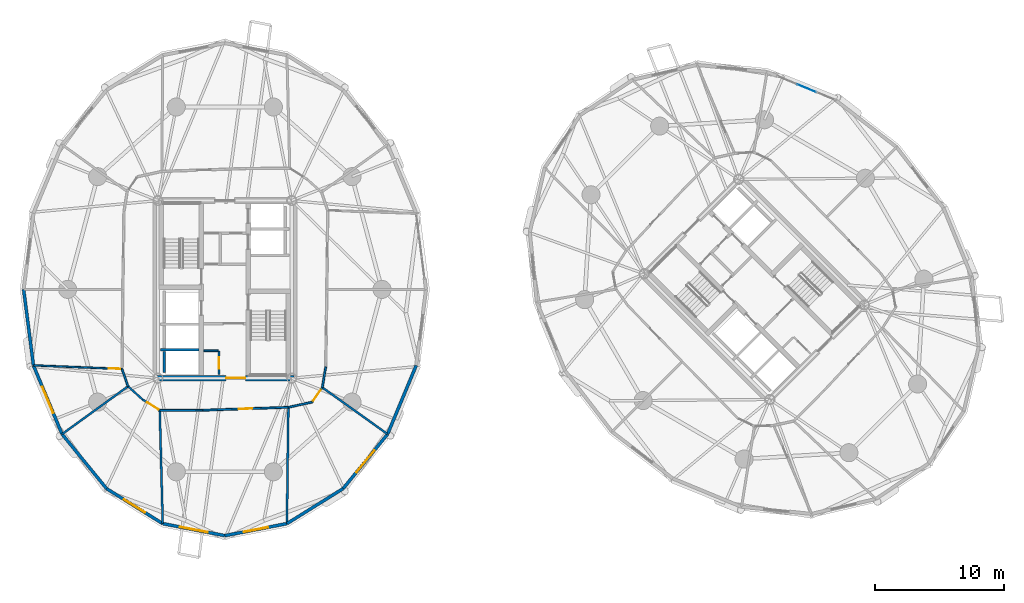
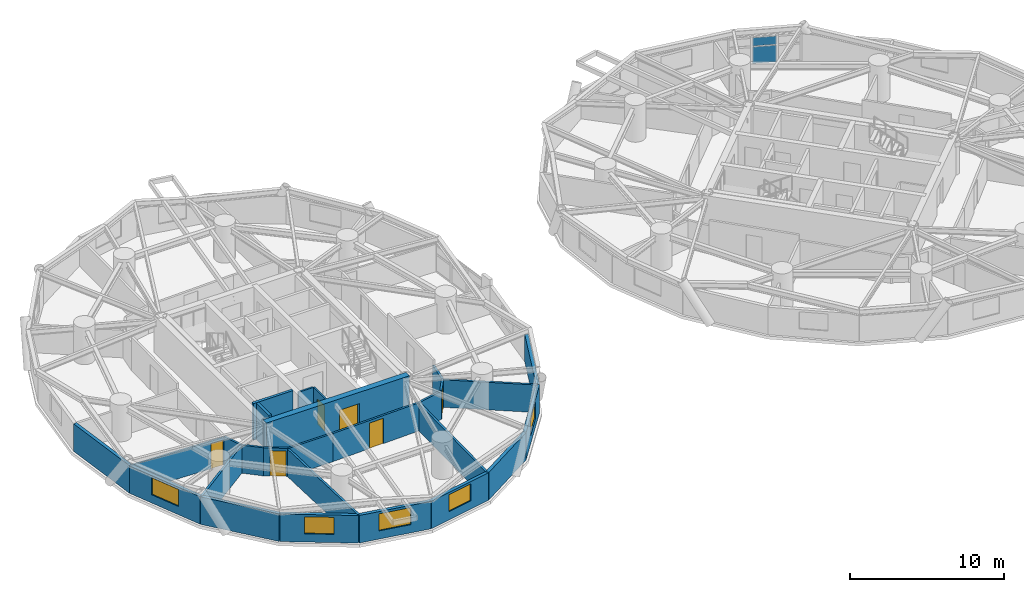
# One storey, part 9 of 17: 27 walls, 6 doors, 5 windows, 2 plates, 11 openings, 1 element without a shape of its own.
"""IFC4 building model written with IfcOpenShell, lengths in metres."""

from ifc_helpers import new_model, si_unit, direction, frame, frame_2d, origin, origin_2d, place, context, subcontext, project, spatial, rectangle, extrude, source, transform, mapped, material, layer, layer_set, type_object, element, fill, aggregate, save


model = new_model("IFC4")

# Units and contexts
model_context = context("Model", 3, precision=1e-05, world=origin(), true_north=direction((0.0, 1.0)))
body_context = subcontext(model_context, "Body", "Model", "MODEL_VIEW")
ifc_project = project(units=[si_unit("LENGTHUNIT", "METRE"), si_unit("AREAUNIT", "SQUARE_METRE"), si_unit("VOLUMEUNIT", "CUBIC_METRE"), si_unit("PLANEANGLEUNIT", "RADIAN"), si_unit("MASSUNIT", "GRAM", prefix="KILO")], contexts=[model_context])

# Site, building, storey
site_placement = place(None, origin())
site = spatial("IfcSite", under=ifc_project, at=site_placement, CompositionType="ELEMENT")
building_placement = place(site_placement, origin())
building = spatial("IfcBuilding", under=site, at=building_placement, Name="Cununo Teusaquillo Station Towers", CompositionType="ELEMENT")
storey_placement = place(building_placement, frame((0.0, 0.0, 81.7900390625)))
storey = spatial("IfcBuildingStorey", under=building, at=storey_placement, Name="L25", CompositionType="ELEMENT", Elevation=81.7900390625)

# Curtain wall, plates
ifc_material_1 = material(Name="Ceramic-fritted dark low-E double glazing", Category="glass")
ifc_layer_1 = layer(ifc_material_1, 0.179931640625)
ifc_layer_set_1 = layer_set([ifc_layer_1], Name="Ceramic-fritted dark low-E double glazing")
curtain_wall_type = type_object("IfcCurtainWallType", Name="CW-SYS-04", PredefinedType="USERDEFINED", material=ifc_layer_set_1)
curtain_wall_placement = place(storey_placement, origin())
curtain_wall = element("IfcCurtainWall", 1, at=curtain_wall_placement, inside=storey, type_object=curtain_wall_type, Name="L25 Tower B Facade Curtain Wall C01", ObjectType="FRITTED GLAZING", PredefinedType="USERDEFINED")
ifc_material_2 = material(Name="Ceramic-fritted dark low-E double glazing", Category="glass")
ifc_layer_2 = layer(ifc_material_2, 0.028076171875)
ifc_layer_set_2 = layer_set([ifc_layer_2], Name="Ceramic-fritted dark low-E double glazing")
plate_type = type_object("IfcPlateType", Name="CWP-FRIT-28", PredefinedType="CURTAIN_PANEL", material=ifc_layer_set_2)
shared_shape_1 = source(origin(), body_context, "Body", "SweptSolid", [
    extrude(rectangle(XDim=1.566162109375, YDim=0.028076171875, at=origin_2d()), origin(), (0.0, 0.0, 1.0), 1.31103515625),
])
plate_1_placement = place(storey_placement, frame((61.542236328125, 40.080322265625, 0.06982421875), z_axis=(0.0, 0.0, 1.0), x_axis=(0.924562443652, -0.381030560176, 0.0)))
plate_1 = element("IfcPlate", 2, at=plate_1_placement, type_object=plate_type, Name="CW-04 panel 2.1", PredefinedType="CURTAIN_PANEL", context=body_context, shape_type="MappedRepresentation", body=[
    mapped(shared_shape_1, transform((0.0, 0.0, 0.0), x_axis=(1.0, 0.0, 0.0), y_axis=(0.0, 1.0, 0.0), z_axis=(0.0, 0.0, 1.0), scale=1.0)),
])
shared_shape_2 = source(origin(), body_context, "Body", "SweptSolid", [
    extrude(rectangle(XDim=1.566162109375, YDim=0.028076171875, at=origin_2d()), origin(), (0.0, 0.0, 1.0), 0.657958984375),
])
plate_2_placement = place(storey_placement, frame((61.542236328125, 40.080322265625, 1.451171875), z_axis=(0.0, 0.0, 1.0), x_axis=(0.924562443652, -0.381030560176, 0.0)))
plate_2 = element("IfcPlate", 3, at=plate_2_placement, type_object=plate_type, Name="CW-04 panel 2.2", PredefinedType="CURTAIN_PANEL", context=body_context, shape_type="MappedRepresentation", body=[
    mapped(shared_shape_2, transform((0.0, 0.0, 0.0), x_axis=(1.0, 0.0, 0.0), y_axis=(0.0, 1.0, 0.0), z_axis=(0.0, 0.0, 1.0), scale=1.0)),
])
aggregate(curtain_wall, [plate_1, plate_2])

# Walls
ifc_material_3 = material(Name="Concrete C50/60", Category="concrete")
ifc_layer_3 = layer(ifc_material_3, 0.199951171875)
ifc_layer_set_3 = layer_set([ifc_layer_3], Name="Concrete C50/60")
wall_type_1 = type_object("IfcWallType", Name="WL-CORE-200", PredefinedType="SHEAR", material=ifc_layer_set_3)
wall_1_placement = place(storey_placement, frame((11.52001953125, 19.824951171875, 0.0), z_axis=(0.0, 0.0, 1.0), x_axis=(1.0, 0.0, 0.0)))
element("IfcWall", 4, at=wall_1_placement, inside=storey, type_object=wall_type_1, Name="L25 Tower A High-Rise Lift Hoistway Divider Shear Wall", PredefinedType="SHEAR", context=body_context, shape_type="SweptSolid", body=[
    extrude(rectangle(XDim=2.969970703125, YDim=0.199951171875, at=frame_2d((1.48486328125, 0.0))), origin(), (0.0, 0.0, 1.0), 2.909912109375),
])
wall_2_placement = place(storey_placement, frame((11.820068359375, 18.070068359375, 0.0), z_axis=(0.0, 0.0, 1.0), x_axis=(0.0, 1.0, 0.0)))
element("IfcWall", 5, at=wall_2_placement, inside=storey, type_object=wall_type_1, Name="L25 Tower A High-Rise Lift 1 Shaft Rear Shear Wall", PredefinedType="SHEAR", context=body_context, shape_type="SweptSolid", body=[
    extrude(rectangle(XDim=1.635009765625, YDim=0.199951171875, at=frame_2d((0.8173828125, 0.0))), origin(), (0.0, 0.0, 1.0), 2.909912109375),
])

# Wall, opening, door
ifc_material_4 = material(Name="Concrete C60/75", Category="concrete")
ifc_layer_4 = layer(ifc_material_4, 0.449951171875)
ifc_layer_set_4 = layer_set([ifc_layer_4], Name="Concrete C60/75")
wall_type_2 = type_object("IfcWallType", Name="WL-CORE-450", PredefinedType="SHEAR", material=ifc_layer_set_4)
wall_3_placement = place(storey_placement, frame((11.14990234375, 17.625, 0.0), z_axis=(0.0, 0.0, 1.0), x_axis=(1.0, 0.0, 0.0)))
wall_3 = element("IfcWall", 6, at=wall_3_placement, inside=storey, type_object=wall_type_2, Name="L25 Tower A Core Shear Wall S", PredefinedType="SHEAR", context=body_context, shape_type="SweptSolid", body=[
    extrude(rectangle(XDim=10.7001953125, YDim=0.449951171875, at=frame_2d((5.35009765625, 0.0))), origin(), (0.0, 0.0, 1.0), 2.909912109375),
])
shared_shape_3 = source(origin(), body_context, "Body", "SweptSolid", [
    extrude(rectangle(XDim=1.5, YDim=2.02001953125, at=frame_2d((0.75, 1.010009765625))), frame((0.0, 0.23486328125, 0.0), z_axis=(0.0, -1.0, 0.0), x_axis=(1.0, 0.0, 0.0)), (0.0, 0.0, 1.0), 0.469970703125),
])
opening_1_placement = place(wall_3_placement, frame((5.449951171875, 0.0, 0.0)))
opening_1 = element("IfcOpeningElement", 7, at=opening_1_placement, cuts=wall_3, Name="Opening D-LB1", PredefinedType="OPENING", context=body_context, shape_type="MappedRepresentation", body=[
    mapped(shared_shape_3, transform((0.0, 0.0, 0.0), x_axis=(1.0, 0.0, 0.0), y_axis=(0.0, 1.0, 0.0), z_axis=(0.0, 0.0, 1.0), scale=1.0)),
])
ifc_material_5 = material(Name="Galvanised fire-rated hollow steel door assembly", Category="steel")
door_type_1 = type_object("IfcDoorType", Name="DR-LOBBY-1500", OperationType="DOUBLE_DOOR_SINGLE_SWING", PredefinedType="DOOR", material=ifc_material_5)
shared_shape_4 = source(origin(), body_context, "Body", "SweptSolid", [
    extrude(rectangle(XDim=1.5, YDim=2.02001953125, at=frame_2d((0.75, 1.010009765625))), frame((0.0, 0.02490234375, 0.0), z_axis=(0.0, -1.0, 0.0), x_axis=(1.0, 0.0, 0.0)), (0.0, 0.0, 1.0), 0.050048828125),
])
door_1_placement = place(opening_1_placement, origin())
door_1 = element("IfcDoor", 8, at=door_1_placement, inside=storey, type_object=door_type_1, Name="L25 Tower A South Core Lift Lobby Door", OperationType="DOUBLE_DOOR_SINGLE_SWING", OverallHeight=2.02001953125, OverallWidth=1.5, PredefinedType="DOOR", context=body_context, shape_type="MappedRepresentation", body=[
    mapped(shared_shape_4, transform((0.0, 0.0, 0.0), x_axis=(1.0, 0.0, 0.0), y_axis=(0.0, 1.0, 0.0), z_axis=(0.0, 0.0, 1.0), scale=1.0)),
])
fill(opening_1, door_1)

# Wall
ifc_material_6 = material(Name="Precast concrete C40/50", Category="concrete")
ifc_layer_5 = layer(ifc_material_6, 0.239990234375)
ifc_layer_set_5 = layer_set([ifc_layer_5], Name="Precast concrete C40/50")
wall_type_3 = type_object("IfcWallType", Name="WL-EXT-240", PredefinedType="SOLIDWALL", material=ifc_layer_set_5)
wall_4_placement = place(storey_placement, frame((1.681640625, 18.60693359375, 0.0), z_axis=(0.0, 0.0, 1.0), x_axis=(-0.128351991996, 0.991728675672, 0.0)))
element("IfcWall", 9, at=wall_4_placement, inside=storey, type_object=wall_type_3, Name="L25 Tower A Exterior Facade Wall C10", PredefinedType="SOLIDWALL", context=body_context, shape_type="SweptSolid", body=[
    extrude(rectangle(XDim=5.942138671875, YDim=0.239990234375, at=frame_2d((2.97119140625, 0.0))), origin(), (0.0, 0.0, 1.0), 2.178955078125),
])

# Wall, opening, window
wall_5_placement = place(storey_placement, frame((3.894775390625, 13.291015625, 0.0), z_axis=(0.0, 0.0, 1.0), x_axis=(-0.384344417632, 0.923189779317, 0.0)))
wall_5 = element("IfcWall", 10, at=wall_5_placement, inside=storey, type_object=wall_type_3, Name="L25 Tower A Exterior Facade Wall C11", PredefinedType="SOLIDWALL", context=body_context, shape_type="SweptSolid", body=[
    extrude(rectangle(XDim=5.75830078125, YDim=0.239990234375, at=frame_2d((2.879150390625, 0.0))), origin(), (0.0, 0.0, 1.0), 2.178955078125),
])
shared_shape_5 = source(origin(), body_context, "Body", "SweptSolid", [
    extrude(rectangle(XDim=2.199951171875, YDim=1.35009765625, at=frame_2d((1.10009765625, 0.675048828125))), frame((0.0, 0.1298828125, 0.0), z_axis=(0.0, -1.0, 0.0), x_axis=(1.0, 0.0, 0.0)), (0.0, 0.0, 1.0), 0.260009765625),
])
opening_2_placement = place(wall_5_placement, frame((1.779052734375, 0.0, 0.64990234375)))
opening_2 = element("IfcOpeningElement", 11, at=opening_2_placement, cuts=wall_5, Name="Opening WN-01", PredefinedType="OPENING", context=body_context, shape_type="MappedRepresentation", body=[
    mapped(shared_shape_5, transform((0.0, 0.0, 0.0), x_axis=(1.0, 0.0, 0.0), y_axis=(0.0, 1.0, 0.0), z_axis=(0.0, 0.0, 1.0), scale=1.0)),
])
ifc_material_7 = material(Name="Ceramic-fritted dark low-E double glazing", Category="glass")
window_type_1 = type_object("IfcWindowType", Name="WIN-FRIT-2200", PartitioningType="DOUBLE_PANEL_VERTICAL", PredefinedType="WINDOW", material=ifc_material_7)
shared_shape_6 = source(origin(), body_context, "Body", "SweptSolid", [
    extrude(rectangle(XDim=2.199951171875, YDim=1.35009765625, at=frame_2d((1.10009765625, 0.675048828125))), frame((0.0, 0.030029296875, 0.0), z_axis=(0.0, -1.0, 0.0), x_axis=(1.0, 0.0, 0.0)), (0.0, 0.0, 1.0), 0.06005859375),
])
window_1_placement = place(opening_2_placement, origin())
window_1 = element("IfcWindow", 12, at=window_1_placement, inside=storey, type_object=window_type_1, Name="L25 Tower A Facade Window C11", OverallHeight=1.35009765625, OverallWidth=2.199951171875, PartitioningType="DOUBLE_PANEL_VERTICAL", PredefinedType="WINDOW", context=body_context, shape_type="MappedRepresentation", body=[
    mapped(shared_shape_6, transform((0.0, 0.0, 0.0), x_axis=(1.0, 0.0, 0.0), y_axis=(0.0, 1.0, 0.0), z_axis=(0.0, 0.0, 1.0), scale=1.0)),
])
fill(opening_2, window_1)

# Wall
wall_6_placement = place(storey_placement, frame((7.341796875, 9.072021484375, 0.0), z_axis=(0.0, 0.0, 1.0), x_axis=(-0.632700781152, 0.77439635945, 0.0)))
element("IfcWall", 13, at=wall_6_placement, inside=storey, type_object=wall_type_3, Name="L25 Tower A Exterior Facade Wall C12", PredefinedType="SOLIDWALL", context=body_context, shape_type="SweptSolid", body=[
    extrude(rectangle(XDim=5.447998046875, YDim=0.239990234375, at=frame_2d((2.72412109375, 0.0))), origin(), (0.0, 0.0, 1.0), 2.178955078125),
])

# Wall, opening, window
wall_7_placement = place(storey_placement, frame((11.685302734375, 6.36328125, 0.0), z_axis=(0.0, 0.0, 1.0), x_axis=(-0.848520380187, 0.529162701263, 0.0)))
wall_7 = element("IfcWall", 14, at=wall_7_placement, inside=storey, type_object=wall_type_3, Name="L25 Tower A Exterior Facade Wall C13", PredefinedType="SOLIDWALL", context=body_context, shape_type="SweptSolid", body=[
    extrude(rectangle(XDim=5.118896484375, YDim=0.239990234375, at=frame_2d((2.5595703125, 0.0))), origin(), (0.0, 0.0, 1.0), 2.178955078125),
])
shared_shape_7 = source(origin(), body_context, "Body", "SweptSolid", [
    extrude(rectangle(XDim=1.89990234375, YDim=1.35009765625, at=frame_2d((0.949951171875, 0.675048828125))), frame((0.0, 0.1298828125, 0.0), z_axis=(0.0, -1.0, 0.0), x_axis=(1.0, 0.0, 0.0)), (0.0, 0.0, 1.0), 0.260009765625),
])
opening_3_placement = place(wall_7_placement, frame((1.60888671875, 0.0, 0.64990234375)))
opening_3 = element("IfcOpeningElement", 15, at=opening_3_placement, cuts=wall_7, Name="Opening WN-02", PredefinedType="OPENING", context=body_context, shape_type="MappedRepresentation", body=[
    mapped(shared_shape_7, transform((0.0, 0.0, 0.0), x_axis=(1.0, 0.0, 0.0), y_axis=(0.0, 1.0, 0.0), z_axis=(0.0, 0.0, 1.0), scale=1.0)),
])
ifc_material_8 = material(Name="Operable acoustic tinted low-E double glazing", Category="glass")
window_type_2 = type_object("IfcWindowType", Name="WIN-OPER-1900", PartitioningType="DOUBLE_PANEL_VERTICAL", PredefinedType="WINDOW", material=ifc_material_8)
shared_shape_8 = source(origin(), body_context, "Body", "SweptSolid", [
    extrude(rectangle(XDim=1.89990234375, YDim=1.35009765625, at=frame_2d((0.949951171875, 0.675048828125))), frame((0.0, 0.030029296875, 0.0), z_axis=(0.0, -1.0, 0.0), x_axis=(1.0, 0.0, 0.0)), (0.0, 0.0, 1.0), 0.06005859375),
])
window_2_placement = place(opening_3_placement, origin())
window_2 = element("IfcWindow", 16, at=window_2_placement, inside=storey, type_object=window_type_2, Name="L25 Tower A Facade Window C13", OverallHeight=1.35009765625, OverallWidth=1.89990234375, PartitioningType="DOUBLE_PANEL_VERTICAL", PredefinedType="WINDOW", context=body_context, shape_type="MappedRepresentation", body=[
    mapped(shared_shape_8, transform((0.0, 0.0, 0.0), x_axis=(1.0, 0.0, 0.0), y_axis=(0.0, 1.0, 0.0), z_axis=(0.0, 0.0, 1.0), scale=1.0)),
])
fill(opening_3, window_2)

wall_8_placement = place(storey_placement, frame((16.5, 5.429931640625, 0.0), z_axis=(0.0, 0.0, 1.0), x_axis=(-0.981723785992, 0.190311344954, 0.0)))
wall_8 = element("IfcWall", 17, at=wall_8_placement, inside=storey, type_object=wall_type_3, Name="L25 Tower A Exterior Facade Wall C14", PredefinedType="SOLIDWALL", context=body_context, shape_type="SweptSolid", body=[
    extrude(rectangle(XDim=4.904296875, YDim=0.239990234375, at=frame_2d((2.4521484375, 0.0))), origin(), (0.0, 0.0, 1.0), 2.178955078125),
])
opening_4_placement = place(wall_8_placement, frame((1.35205078125, 0.0, 0.64990234375)))
opening_4 = element("IfcOpeningElement", 18, at=opening_4_placement, cuts=wall_8, Name="Opening WN-01", PredefinedType="OPENING", context=body_context, shape_type="MappedRepresentation", body=[
    mapped(shared_shape_5, transform((0.0, 0.0, 0.0), x_axis=(1.0, 0.0, 0.0), y_axis=(0.0, 1.0, 0.0), z_axis=(0.0, 0.0, 1.0), scale=1.0)),
])
window_3_placement = place(opening_4_placement, origin())
window_3 = element("IfcWindow", 19, at=window_3_placement, inside=storey, type_object=window_type_1, Name="L25 Tower A Facade Window C14", OverallHeight=1.35009765625, OverallWidth=2.199951171875, PartitioningType="DOUBLE_PANEL_VERTICAL", PredefinedType="WINDOW", context=body_context, shape_type="MappedRepresentation", body=[
    mapped(shared_shape_6, transform((0.0, 0.0, 0.0), x_axis=(1.0, 0.0, 0.0), y_axis=(0.0, 1.0, 0.0), z_axis=(0.0, 0.0, 1.0), scale=1.0)),
])
fill(opening_4, window_3)

wall_9_placement = place(storey_placement, frame((21.314697265625, 6.36328125, 0.0), z_axis=(0.0, 0.0, 1.0), x_axis=(-0.981723785992, -0.190311344954, 0.0)))
wall_9 = element("IfcWall", 20, at=wall_9_placement, inside=storey, type_object=wall_type_3, Name="L25 Tower A Exterior Facade Wall C15", PredefinedType="SOLIDWALL", context=body_context, shape_type="SweptSolid", body=[
    extrude(rectangle(XDim=4.904296875, YDim=0.239990234375, at=frame_2d((2.4521484375, 0.0))), origin(), (0.0, 0.0, 1.0), 2.178955078125),
])
opening_5_placement = place(wall_9_placement, frame((1.501953125, 0.0, 0.64990234375)))
opening_5 = element("IfcOpeningElement", 21, at=opening_5_placement, cuts=wall_9, Name="Opening WN-02", PredefinedType="OPENING", context=body_context, shape_type="MappedRepresentation", body=[
    mapped(shared_shape_7, transform((0.0, 0.0, 0.0), x_axis=(1.0, 0.0, 0.0), y_axis=(0.0, 1.0, 0.0), z_axis=(0.0, 0.0, 1.0), scale=1.0)),
])
window_4_placement = place(opening_5_placement, origin())
window_4 = element("IfcWindow", 22, at=window_4_placement, inside=storey, type_object=window_type_2, Name="L25 Tower A Facade Window C15", OverallHeight=1.35009765625, OverallWidth=1.89990234375, PartitioningType="DOUBLE_PANEL_VERTICAL", PredefinedType="WINDOW", context=body_context, shape_type="MappedRepresentation", body=[
    mapped(shared_shape_8, transform((0.0, 0.0, 0.0), x_axis=(1.0, 0.0, 0.0), y_axis=(0.0, 1.0, 0.0), z_axis=(0.0, 0.0, 1.0), scale=1.0)),
])
fill(opening_5, window_4)

# Wall
wall_10_placement = place(storey_placement, frame((25.658203125, 9.072021484375, 0.0), z_axis=(0.0, 0.0, 1.0), x_axis=(-0.848520380187, -0.529162701263, 0.0)))
element("IfcWall", 23, at=wall_10_placement, inside=storey, type_object=wall_type_3, Name="L25 Tower A Exterior Facade Wall C16", PredefinedType="SOLIDWALL", context=body_context, shape_type="SweptSolid", body=[
    extrude(rectangle(XDim=5.118896484375, YDim=0.239990234375, at=frame_2d((2.5595703125, 0.0))), origin(), (0.0, 0.0, 1.0), 2.178955078125),
])

# Wall, opening, window
wall_11_placement = place(storey_placement, frame((29.105224609375, 13.291015625, 0.0), z_axis=(0.0, 0.0, 1.0), x_axis=(-0.632700781152, -0.77439635945, 0.0)))
wall_11 = element("IfcWall", 24, at=wall_11_placement, inside=storey, type_object=wall_type_3, Name="L25 Tower A Exterior Facade Wall C17", PredefinedType="SOLIDWALL", context=body_context, shape_type="SweptSolid", body=[
    extrude(rectangle(XDim=5.447998046875, YDim=0.239990234375, at=frame_2d((2.72412109375, 0.0))), origin(), (0.0, 0.0, 1.0), 2.178955078125),
])
opening_6_placement = place(wall_11_placement, frame((1.6240234375, 0.0, 0.64990234375)))
opening_6 = element("IfcOpeningElement", 25, at=opening_6_placement, cuts=wall_11, Name="Opening WN-01", PredefinedType="OPENING", context=body_context, shape_type="MappedRepresentation", body=[
    mapped(shared_shape_5, transform((0.0, 0.0, 0.0), x_axis=(1.0, 0.0, 0.0), y_axis=(0.0, 1.0, 0.0), z_axis=(0.0, 0.0, 1.0), scale=1.0)),
])
window_5_placement = place(opening_6_placement, origin())
window_5 = element("IfcWindow", 26, at=window_5_placement, inside=storey, type_object=window_type_1, Name="L25 Tower A Facade Window C17", OverallHeight=1.35009765625, OverallWidth=2.199951171875, PartitioningType="DOUBLE_PANEL_VERTICAL", PredefinedType="WINDOW", context=body_context, shape_type="MappedRepresentation", body=[
    mapped(shared_shape_6, transform((0.0, 0.0, 0.0), x_axis=(1.0, 0.0, 0.0), y_axis=(0.0, 1.0, 0.0), z_axis=(0.0, 0.0, 1.0), scale=1.0)),
])
fill(opening_6, window_5)

# Wall
wall_12_placement = place(storey_placement, frame((31.318359375, 18.60693359375, 0.0), z_axis=(0.0, 0.0, 1.0), x_axis=(-0.384344417632, -0.923189779317, 0.0)))
element("IfcWall", 27, at=wall_12_placement, inside=storey, type_object=wall_type_3, Name="L25 Tower A Exterior Facade Wall C18", PredefinedType="SOLIDWALL", context=body_context, shape_type="SweptSolid", body=[
    extrude(rectangle(XDim=5.75830078125, YDim=0.239990234375, at=frame_2d((2.879150390625, 0.0))), origin(), (0.0, 0.0, 1.0), 2.178955078125),
])

# Wall, opening, door
ifc_material_9 = material(Name="Fire-rated gypsum plasterboard partition assembly", Category="gypsum")
ifc_layer_6 = layer(ifc_material_9, 0.125)
ifc_layer_set_6 = layer_set([ifc_layer_6], Name="Fire-rated gypsum plasterboard partition assembly")
wall_type_4 = type_object("IfcWallType", Name="WL-PART-125", PredefinedType="PARTITIONING", material=ifc_layer_set_6)
wall_13_placement = place(storey_placement, frame((16.050048828125, 17.919921875, 0.0), z_axis=(0.0, 0.0, 1.0), x_axis=(0.0, 1.0, 0.0)))
wall_13 = element("IfcWall", 28, at=wall_13_placement, inside=storey, type_object=wall_type_4, Name="L25 Tower A South-West Compact Store East Wall", PredefinedType="PARTITIONING", context=body_context, shape_type="SweptSolid", body=[
    extrude(rectangle(XDim=1.800048828125, YDim=0.125, at=frame_2d((0.89990234375, 0.0))), origin(), (0.0, 0.0, 1.0), 2.655029296875),
])
shared_shape_9 = source(origin(), body_context, "Body", "SweptSolid", [
    extrude(rectangle(XDim=0.89990234375, YDim=2.0048828125, at=frame_2d((0.449951171875, 1.00244140625))), frame((0.0, 0.072509765625, 0.0), z_axis=(0.0, -1.0, 0.0), x_axis=(1.0, 0.0, 0.0)), (0.0, 0.0, 1.0), 0.14501953125),
])
opening_7_placement = place(wall_13_placement, frame((0.419921875, 0.0, 0.0)))
opening_7 = element("IfcOpeningElement", 29, at=opening_7_placement, cuts=wall_13, Name="Opening D-SR1", PredefinedType="OPENING", context=body_context, shape_type="MappedRepresentation", body=[
    mapped(shared_shape_9, transform((0.0, 0.0, 0.0), x_axis=(1.0, 0.0, 0.0), y_axis=(0.0, 1.0, 0.0), z_axis=(0.0, 0.0, 1.0), scale=1.0)),
])
ifc_material_10 = material(Name="Galvanised fire-rated hollow steel door assembly", Category="steel")
door_type_2 = type_object("IfcDoorType", Name="DR-STORE-900", OperationType="NOTDEFINED", PredefinedType="DOOR", material=ifc_material_10)
shared_shape_10 = source(origin(), body_context, "Body", "SweptSolid", [
    extrude(rectangle(XDim=0.89990234375, YDim=2.0048828125, at=frame_2d((0.449951171875, 1.00244140625))), frame((0.0, 0.02490234375, 0.0), z_axis=(0.0, -1.0, 0.0), x_axis=(1.0, 0.0, 0.0)), (0.0, 0.0, 1.0), 0.050048828125),
])
door_2_placement = place(opening_7_placement, origin())
door_2 = element("IfcDoor", 30, at=door_2_placement, inside=storey, type_object=door_type_2, Name="L25 Tower A Core Electrical & Comms Store Door", OperationType="SINGLE_SWING_LEFT", OverallHeight=2.0048828125, OverallWidth=0.89990234375, PredefinedType="DOOR", context=body_context, shape_type="MappedRepresentation", body=[
    mapped(shared_shape_10, transform((0.0, 0.0, 0.0), x_axis=(1.0, 0.0, 0.0), y_axis=(0.0, 1.0, 0.0), z_axis=(0.0, 0.0, 1.0), scale=1.0)),
])
fill(opening_7, door_2)

# Wall
wall_14_placement = place(storey_placement, frame((14.8798828125, 19.75, 0.0), z_axis=(0.0, 0.0, 1.0), x_axis=(1.0, 0.0, 0.0)))
element("IfcWall", 31, at=wall_14_placement, inside=storey, type_object=wall_type_4, Name="L25 Tower A South-West Compact Store North Wall", PredefinedType="PARTITIONING", context=body_context, shape_type="SweptSolid", body=[
    extrude(rectangle(XDim=1.10009765625, YDim=0.125, at=frame_2d((0.550048828125, 0.0))), origin(), (0.0, 0.0, 1.0), 2.655029296875),
])

# Wall, opening, door
wall_15_placement = place(storey_placement, frame((8.538330078125, 18.338134765625, 0.0), z_axis=(0.0, 0.0, 1.0), x_axis=(-0.999191355531, 0.04020740021, 0.0)))
wall_15 = element("IfcWall", 32, at=wall_15_placement, inside=storey, type_object=wall_type_4, Name="L25 Tower A Managing Partner Corner Chambers Suite Subdividing Wall", PredefinedType="PARTITIONING", context=body_context, shape_type="SweptSolid", body=[
    extrude(rectangle(XDim=6.84326171875, YDim=0.125, at=frame_2d((3.421630859375, 0.0))), origin(), (0.0, 0.0, 1.0), 2.178955078125),
])
opening_8_placement = place(wall_15_placement, frame((0.1201171875, 0.0, 0.0)))
opening_8 = element("IfcOpeningElement", 33, at=opening_8_placement, cuts=wall_15, Name="Opening D-IN1", PredefinedType="OPENING", context=body_context, shape_type="MappedRepresentation", body=[
    mapped(shared_shape_9, transform((0.0, 0.0, 0.0), x_axis=(1.0, 0.0, 0.0), y_axis=(0.0, 1.0, 0.0), z_axis=(0.0, 0.0, 1.0), scale=1.0)),
])
ifc_material_11 = material(Name="Acoustic solid-core hardwood leaf assembly", Category="wood")
door_type_3 = type_object("IfcDoorType", Name="DR-INT-900", OperationType="NOTDEFINED", PredefinedType="DOOR", material=ifc_material_11)
door_3_placement = place(opening_8_placement, origin())
door_3 = element("IfcDoor", 34, at=door_3_placement, inside=storey, type_object=door_type_3, Name="L25 Tower A Managing Partner Corner Chambers Suite Connecting Door", OperationType="SINGLE_SWING_RIGHT", OverallHeight=2.0048828125, OverallWidth=0.89990234375, PredefinedType="DOOR", context=body_context, shape_type="MappedRepresentation", body=[
    mapped(shared_shape_10, transform((0.0, 0.0, 0.0), x_axis=(1.0, 0.0, 0.0), y_axis=(0.0, 1.0, 0.0), z_axis=(0.0, 0.0, 1.0), scale=1.0)),
])
fill(opening_8, door_3)

# Walls
ifc_material_12 = material(Name="Fire-rated gypsum plasterboard partition assembly", Category="gypsum")
ifc_layer_7 = layer(ifc_material_12, 0.14990234375)
ifc_layer_set_7 = layer_set([ifc_layer_7], Name="Fire-rated gypsum plasterboard partition assembly")
wall_type_5 = type_object("IfcWallType", Name="WL-PART-150", PredefinedType="PARTITIONING", material=ifc_layer_set_7)
wall_16_placement = place(storey_placement, frame((8.538330078125, 18.338134765625, 0.0), z_axis=(0.0, 0.0, 1.0), x_axis=(0.331358150167, -0.94350504838, 0.0)))
element("IfcWall", 35, at=wall_16_placement, inside=storey, type_object=wall_type_5, Name="L25 Tower A Corridor Ring Wall C11", PredefinedType="PARTITIONING", context=body_context, shape_type="SweptSolid", body=[
    extrude(rectangle(XDim=1.42431640625, YDim=0.14990234375, at=frame_2d((0.712158203125, 0.0))), origin(), (0.0, 0.0, 1.0), 2.224853515625),
])
wall_17_placement = place(storey_placement, frame((9.01025390625, 16.994384765625, 0.0), z_axis=(0.0, 0.0, 1.0), x_axis=(0.737701798986, -0.67512669609, 0.0)))
element("IfcWall", 36, at=wall_17_placement, inside=storey, type_object=wall_type_5, Name="L25 Tower A Corridor Ring Wall C12", PredefinedType="PARTITIONING", context=body_context, shape_type="SweptSolid", body=[
    extrude(rectangle(XDim=1.498291015625, YDim=0.14990234375, at=frame_2d((0.7490234375, 0.0))), origin(), (0.0, 0.0, 1.0), 2.224853515625),
])

# Wall, opening, door
wall_18_placement = place(storey_placement, frame((10.115478515625, 15.98291015625, 0.0), z_axis=(0.0, 0.0, 1.0), x_axis=(0.843995849351, -0.536349705209, 0.0)))
wall_18 = element("IfcWall", 37, at=wall_18_placement, inside=storey, type_object=wall_type_5, Name="L25 Tower A Corridor Ring Wall C13", PredefinedType="PARTITIONING", context=body_context, shape_type="SweptSolid", body=[
    extrude(rectangle(XDim=1.5927734375, YDim=0.14990234375, at=frame_2d((0.79638671875, 0.0))), origin(), (0.0, 0.0, 1.0), 2.224853515625),
])
shared_shape_11 = source(origin(), body_context, "Body", "SweptSolid", [
    extrude(rectangle(XDim=1.050048828125, YDim=2.014892578125, at=frame_2d((0.52490234375, 1.00732421875))), frame((0.0, 0.0849609375, 0.0), z_axis=(0.0, -1.0, 0.0), x_axis=(1.0, 0.0, 0.0)), (0.0, 0.0, 1.0), 0.169921875),
])
opening_9_placement = place(wall_18_placement, frame((0.422607421875, 0.0, 0.0)))
opening_9 = element("IfcOpeningElement", 38, at=opening_9_placement, cuts=wall_18, Name="Opening D-SU1", PredefinedType="OPENING", context=body_context, shape_type="MappedRepresentation", body=[
    mapped(shared_shape_11, transform((0.0, 0.0, 0.0), x_axis=(1.0, 0.0, 0.0), y_axis=(0.0, 1.0, 0.0), z_axis=(0.0, 0.0, 1.0), scale=1.0)),
])
ifc_material_13 = material(Name="Acoustic solid-core hardwood leaf assembly", Category="wood")
door_type_4 = type_object("IfcDoorType", Name="DR-SUITE-1050", OperationType="NOTDEFINED", PredefinedType="DOOR", material=ifc_material_13)
shared_shape_12 = source(origin(), body_context, "Body", "SweptSolid", [
    extrude(rectangle(XDim=1.050048828125, YDim=2.014892578125, at=frame_2d((0.52490234375, 1.00732421875))), frame((0.0, 0.02490234375, 0.0), z_axis=(0.0, -1.0, 0.0), x_axis=(1.0, 0.0, 0.0)), (0.0, 0.0, 1.0), 0.050048828125),
])
door_4_placement = place(opening_9_placement, origin())
door_4 = element("IfcDoor", 39, at=door_4_placement, inside=storey, type_object=door_type_4, Name="L25 Tower A Video Deposition Conference Room Entrance Door", OperationType="SINGLE_SWING_LEFT", OverallHeight=2.014892578125, OverallWidth=1.050048828125, PredefinedType="DOOR", context=body_context, shape_type="MappedRepresentation", body=[
    mapped(shared_shape_12, transform((0.0, 0.0, 0.0), x_axis=(1.0, 0.0, 0.0), y_axis=(0.0, 1.0, 0.0), z_axis=(0.0, 0.0, 1.0), scale=1.0)),
])
fill(opening_9, door_4)

# Wall
wall_19_placement = place(storey_placement, frame((11.459716796875, 15.128662109375, 0.0), z_axis=(0.0, 0.0, 1.0), x_axis=(0.999993513287, 0.003601858435, 0.0)))
element("IfcWall", 40, at=wall_19_placement, inside=storey, type_object=wall_type_5, Name="L25 Tower A Corridor Ring Wall C14", PredefinedType="PARTITIONING", context=body_context, shape_type="SweptSolid", body=[
    extrude(rectangle(XDim=3.3212890625, YDim=0.14990234375, at=frame_2d((1.66064453125, 0.0))), origin(), (0.0, 0.0, 1.0), 2.224853515625),
])

# Wall, opening, door
wall_20_placement = place(storey_placement, frame((14.781005859375, 15.140625, 0.0), z_axis=(0.0, 0.0, 1.0), x_axis=(0.999407918707, 0.034406569513, 0.0)))
wall_20 = element("IfcWall", 41, at=wall_20_placement, inside=storey, type_object=wall_type_5, Name="L25 Tower A Corridor Ring Wall C15", PredefinedType="PARTITIONING", context=body_context, shape_type="SweptSolid", body=[
    extrude(rectangle(XDim=6.6416015625, YDim=0.14990234375, at=frame_2d((3.32080078125, 0.0))), origin(), (0.0, 0.0, 1.0), 2.224853515625),
])
opening_10_placement = place(wall_20_placement, frame((2.7958984375, 0.0, 0.0)))
opening_10 = element("IfcOpeningElement", 42, at=opening_10_placement, cuts=wall_20, Name="Opening D-SU1", PredefinedType="OPENING", context=body_context, shape_type="MappedRepresentation", body=[
    mapped(shared_shape_11, transform((0.0, 0.0, 0.0), x_axis=(1.0, 0.0, 0.0), y_axis=(0.0, 1.0, 0.0), z_axis=(0.0, 0.0, 1.0), scale=1.0)),
])
door_5_placement = place(opening_10_placement, origin())
door_5 = element("IfcDoor", 43, at=door_5_placement, inside=storey, type_object=door_type_4, Name="L25 Tower A Client Hospitality Pantry Entrance Door", OperationType="SINGLE_SWING_RIGHT", OverallHeight=2.014892578125, OverallWidth=1.050048828125, PredefinedType="DOOR", context=body_context, shape_type="MappedRepresentation", body=[
    mapped(shared_shape_12, transform((0.0, 0.0, 0.0), x_axis=(1.0, 0.0, 0.0), y_axis=(0.0, 1.0, 0.0), z_axis=(0.0, 0.0, 1.0), scale=1.0)),
])
fill(opening_10, door_5)

# Wall
wall_21_placement = place(storey_placement, frame((21.418701171875, 15.369140625, 0.0), z_axis=(0.0, 0.0, 1.0), x_axis=(0.977192701953, 0.212354475464, 0.0)))
element("IfcWall", 44, at=wall_21_placement, inside=storey, type_object=wall_type_5, Name="L25 Tower A Corridor Ring Wall C16", PredefinedType="PARTITIONING", context=body_context, shape_type="SweptSolid", body=[
    extrude(rectangle(XDim=1.8876953125, YDim=0.14990234375, at=frame_2d((0.94384765625, 0.0))), origin(), (0.0, 0.0, 1.0), 2.224853515625),
])

# Wall, opening, door
wall_22_placement = place(storey_placement, frame((23.263427734375, 15.77001953125, 0.0), z_axis=(0.0, 0.0, 1.0), x_axis=(0.570743456919, 0.821128434768, 0.0)))
wall_22 = element("IfcWall", 45, at=wall_22_placement, inside=storey, type_object=wall_type_5, Name="L25 Tower A Corridor Ring Wall C17", PredefinedType="PARTITIONING", context=body_context, shape_type="SweptSolid", body=[
    extrude(rectangle(XDim=1.381591796875, YDim=0.14990234375, at=frame_2d((0.69091796875, 0.0))), origin(), (0.0, 0.0, 1.0), 2.224853515625),
])
opening_11_placement = place(wall_22_placement, frame((0.1201171875, 0.0, 0.0)))
opening_11 = element("IfcOpeningElement", 46, at=opening_11_placement, cuts=wall_22, Name="Opening D-SU1", PredefinedType="OPENING", context=body_context, shape_type="MappedRepresentation", body=[
    mapped(shared_shape_11, transform((0.0, 0.0, 0.0), x_axis=(1.0, 0.0, 0.0), y_axis=(0.0, 1.0, 0.0), z_axis=(0.0, 0.0, 1.0), scale=1.0)),
])
door_6_placement = place(opening_11_placement, origin())
door_6 = element("IfcDoor", 47, at=door_6_placement, inside=storey, type_object=door_type_4, Name="L25 Tower A Document Archive & Server Room Entrance Door", OperationType="SINGLE_SWING_LEFT", OverallHeight=2.014892578125, OverallWidth=1.050048828125, PredefinedType="DOOR", context=body_context, shape_type="MappedRepresentation", body=[
    mapped(shared_shape_12, transform((0.0, 0.0, 0.0), x_axis=(1.0, 0.0, 0.0), y_axis=(0.0, 1.0, 0.0), z_axis=(0.0, 0.0, 1.0), scale=1.0)),
])
fill(opening_11, door_6)

# Walls
wall_23_placement = place(storey_placement, frame((24.052001953125, 16.904541015625, 0.0), z_axis=(0.0, 0.0, 1.0), x_axis=(0.162091534225, 0.986775726562, 0.0)))
element("IfcWall", 48, at=wall_23_placement, inside=storey, type_object=wall_type_5, Name="L25 Tower A Corridor Ring Wall C18", PredefinedType="PARTITIONING", context=body_context, shape_type="SweptSolid", body=[
    extrude(rectangle(XDim=1.613037109375, YDim=0.14990234375, at=frame_2d((0.806640625, 0.0))), origin(), (0.0, 0.0, 1.0), 2.224853515625),
])
ifc_material_14 = material(Name="Fire-rated gypsum plasterboard partition assembly", Category="gypsum")
ifc_layer_8 = layer(ifc_material_14, 0.159912109375)
ifc_layer_set_8 = layer_set([ifc_layer_8], Name="Fire-rated gypsum plasterboard partition assembly")
wall_type_6 = type_object("IfcWallType", Name="WL-PART-160", PredefinedType="PARTITIONING", material=ifc_layer_set_8)
wall_24_placement = place(storey_placement, frame((9.01025390625, 16.994384765625, 0.0), z_axis=(0.0, 0.0, 1.0), x_axis=(-0.81001707524, -0.586406290741, 0.0)))
element("IfcWall", 49, at=wall_24_placement, inside=storey, type_object=wall_type_6, Name="L25 Tower A Radial Suite Partition R07", PredefinedType="PARTITIONING", context=body_context, shape_type="SweptSolid", body=[
    extrude(rectangle(XDim=6.29541015625, YDim=0.159912109375, at=frame_2d((3.147705078125, 0.0))), origin(), (0.0, 0.0, 1.0), 2.178955078125),
])
wall_25_placement = place(storey_placement, frame((11.459716796875, 15.128662109375, 0.0), z_axis=(0.0, 0.0, 1.0), x_axis=(0.026480592098, -0.999649327636, 0.0)))
element("IfcWall", 50, at=wall_25_placement, inside=storey, type_object=wall_type_6, Name="L25 Tower A Radial Suite Partition R08", PredefinedType="PARTITIONING", context=body_context, shape_type="SweptSolid", body=[
    extrude(rectangle(XDim=8.74951171875, YDim=0.159912109375, at=frame_2d((4.374755859375, 0.0))), origin(), (0.0, 0.0, 1.0), 2.178955078125),
])
wall_26_placement = place(storey_placement, frame((21.418701171875, 15.369140625, 0.0), z_axis=(0.0, 0.0, 1.0), x_axis=(-0.012251185903, -0.999924951406, 0.0)))
element("IfcWall", 51, at=wall_26_placement, inside=storey, type_object=wall_type_6, Name="L25 Tower A Radial Suite Partition R09", PredefinedType="PARTITIONING", context=body_context, shape_type="SweptSolid", body=[
    extrude(rectangle(XDim=8.987548828125, YDim=0.159912109375, at=frame_2d((4.49365234375, 0.0))), origin(), (0.0, 0.0, 1.0), 2.178955078125),
])
wall_27_placement = place(storey_placement, frame((24.052001953125, 16.904541015625, 0.0), z_axis=(0.0, 0.0, 1.0), x_axis=(0.813437670746, -0.581652091727, 0.0)))
element("IfcWall", 52, at=wall_27_placement, inside=storey, type_object=wall_type_6, Name="L25 Tower A Radial Suite Partition R10", PredefinedType="PARTITIONING", context=body_context, shape_type="SweptSolid", body=[
    extrude(rectangle(XDim=6.1923828125, YDim=0.159912109375, at=frame_2d((3.09619140625, 0.0))), origin(), (0.0, 0.0, 1.0), 2.178955078125),
])

save(model, "model.ifc")
